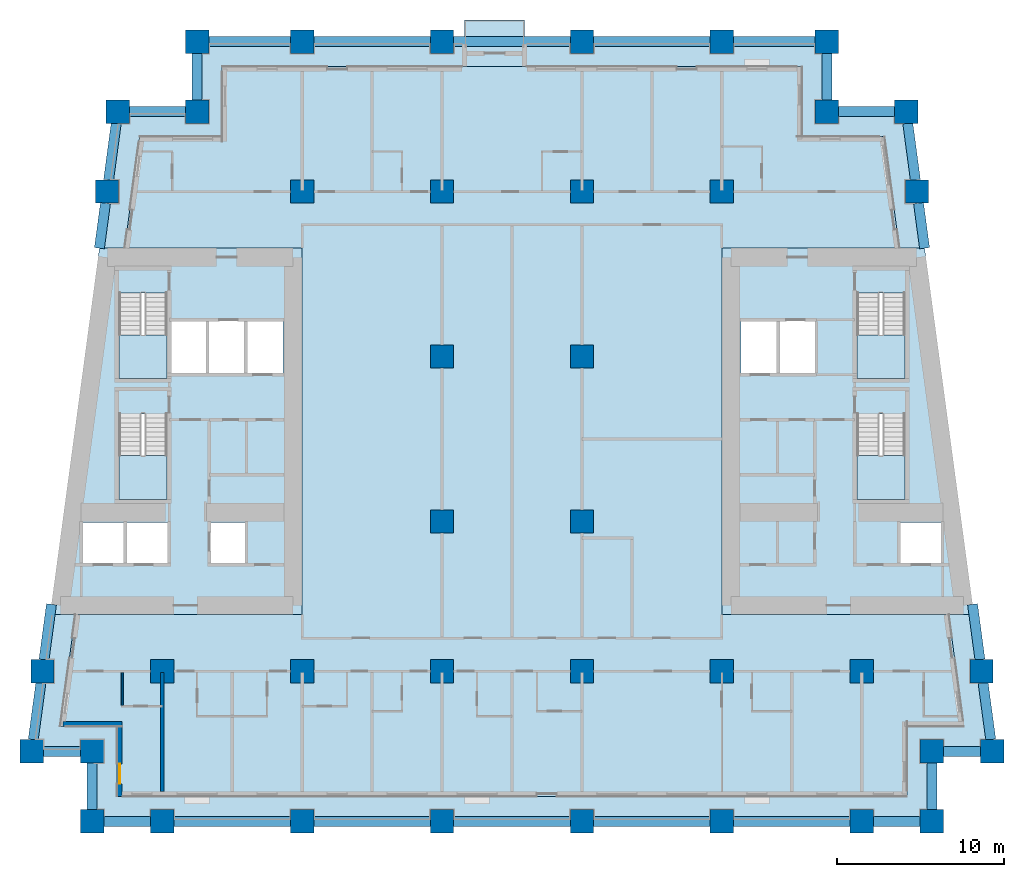
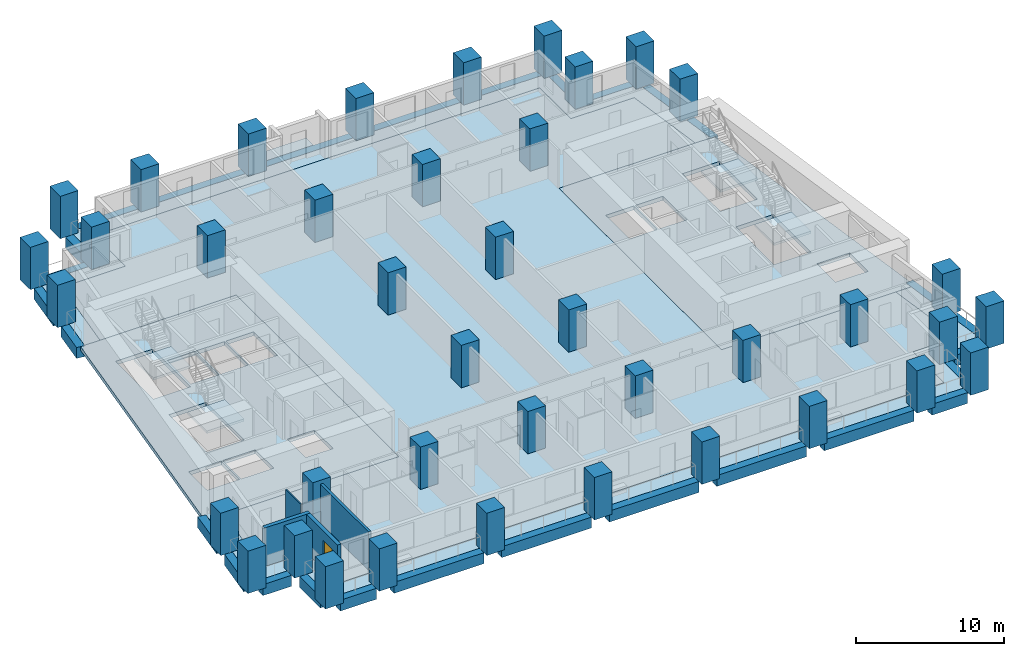
# One storey, part 1 of 13: 40 columns, 28 beams, 10 slabs, 4 walls, 1 door, 1 opening, 4 elements without a shape of their own.
"""IFC4 building model written with IfcOpenShell, lengths in metres."""

from ifc_helpers import new_model, si_unit, direction, frame, frame_2d, origin, origin_2d, place, context, subcontext, project, spatial, polyline, rectangle, outline, extrude, material, layer, layer_set, material_profile, profile_set, type_object, element, fill, aggregate, save


model = new_model("IFC4")

# Units and contexts
model_context = context("Model", 3, precision=1e-05, world=origin(), true_north=direction((0.0, 1.0)))
body_context = subcontext(model_context, "Body", "Model", "MODEL_VIEW")
ifc_project = project(units=[si_unit("LENGTHUNIT", "METRE"), si_unit("AREAUNIT", "SQUARE_METRE"), si_unit("VOLUMEUNIT", "CUBIC_METRE"), si_unit("PLANEANGLEUNIT", "RADIAN"), si_unit("MASSUNIT", "GRAM", prefix="KILO")], contexts=[model_context])

# Site, building, storey
site_placement = place(None, origin())
site = spatial("IfcSite", under=ifc_project, at=site_placement, CompositionType="ELEMENT")
building_placement = place(site_placement, origin())
building = spatial("IfcBuilding", under=site, at=building_placement, Name="Candeia Pilgrim Tower and Theatre", CompositionType="ELEMENT")
storey_placement = place(building_placement, frame((0.0, 0.0, 67.0)))
storey = spatial("IfcBuildingStorey", under=building, at=storey_placement, Name="L14", CompositionType="ELEMENT", Elevation=67.0)

# Columns
ifc_material_1 = material(Name="Concrete C80/95", Category="concrete")
ifc_material_profile_1 = material_profile(ifc_material_1, rectangle(XDim=1.39990234375, YDim=1.39990234375, at=origin_2d()))
ifc_profile_set_1 = profile_set([ifc_material_profile_1], Name="Concrete C80/95")
column_type = type_object("IfcColumnType", Name="RC 1400x1400 C80/95", PredefinedType="COLUMN", material=ifc_profile_set_1)
for number, where, z_axis, x_axis, name in (
    (1, (92.39990234375, 98.0, 0.0), (0.0, 0.0, 1.0), (1.0, 0.0, 0.0), "Column A1"),
    (2, (100.800048828125, 98.0, 0.0), (0.0, 0.0, 1.0), (1.0, 0.0, 0.0), "Column A2"),
    (3, (109.199951171875, 98.0, 0.0), (0.0, 0.0, 1.0), (1.0, 0.0, 0.0), "Column A3"),
    (4, (117.60009765625, 98.0, 0.0), (0.0, 0.0, 1.0), (1.0, 0.0, 0.0), "Column A4"),
    (5, (126.0, 98.0, 0.0), (0.0, 0.0, 1.0), (1.0, 0.0, 0.0), "Column A5"),
    (6, (134.39990234375, 98.0, 0.0), (0.0, 0.0, 1.0), (1.0, 0.0, 0.0), "Column A6"),
    (7, (88.199951171875, 98.0, 0.0), (0.0, 0.0, 1.0), (1.0, 0.0, 0.0), "Column AW"),
    (8, (138.60009765625, 98.0, 0.0), (0.0, 0.0, 1.0), (1.0, 0.0, 0.0), "Column AE"),
    (9, (88.199951171875, 102.199951171875, 0.0), (0.0, 0.0, 1.0), (1.0, 0.0, 0.0), "Column NSW"),
    (10, (138.60009765625, 102.199951171875, 0.0), (0.0, 0.0, 1.0), (1.0, 0.0, 0.0), "Column NSE"),
    (11, (94.5, 140.60009765625, 0.0), (0.0, 0.0, 1.0), (1.0, 0.0, 0.0), "Column NNW"),
    (12, (132.300048828125, 140.60009765625, 0.0), (0.0, 0.0, 1.0), (1.0, 0.0, 0.0), "Column NNE"),
    (13, (84.5654296875, 102.199951171875, 0.0), (0.0, 0.0, 1.0), (1.0, 0.0, 0.0), "Column LSW"),
    (14, (142.234619140625, 102.199951171875, 0.0), (0.0, 0.0, 1.0), (1.0, 0.0, 0.0), "Column LSE"),
    (15, (89.734619140625, 140.60009765625, 0.0), (0.0, 0.0, 1.0), (1.0, 0.0, 0.0), "Column LNW"),
    (16, (137.0654296875, 140.60009765625, 0.0), (0.0, 0.0, 1.0), (1.0, 0.0, 0.0), "Column LNE"),
    (17, (92.39990234375, 107.0, 0.0), (0.0, 0.0, 1.0), (1.0, 0.0, 0.0), "Column B1"),
    (18, (100.800048828125, 107.0, 0.0), (0.0, 0.0, 1.0), (1.0, 0.0, 0.0), "Column B2"),
    (19, (109.199951171875, 107.0, 0.0), (0.0, 0.0, 1.0), (1.0, 0.0, 0.0), "Column B3"),
    (20, (117.60009765625, 107.0, 0.0), (0.0, 0.0, 1.0), (1.0, 0.0, 0.0), "Column B4"),
    (21, (126.0, 107.0, 0.0), (0.0, 0.0, 1.0), (1.0, 0.0, 0.0), "Column B5"),
    (22, (134.39990234375, 107.0, 0.0), (0.0, 0.0, 1.0), (1.0, 0.0, 0.0), "Column B6"),
    (23, (85.21142578125, 107.0, 0.0), (0.0, 0.0, 1.0), (1.0, 0.0, 0.0), "Column BW"),
    (24, (141.58837890625, 107.0, 0.0), (0.0, 0.0, 1.0), (1.0, 0.0, 0.0), "Column BE"),
    (25, (109.199951171875, 116.0, 0.0), (0.0, 0.0, 1.0), (1.0, 0.0, 0.0), "Column C3"),
    (26, (117.60009765625, 116.0, 0.0), (0.0, 0.0, 1.0), (1.0, 0.0, 0.0), "Column C4"),
    (27, (109.199951171875, 125.89990234375, 0.0), (0.0, 0.0, 1.0), (1.0, 0.0, 0.0), "Column D3"),
    (28, (117.60009765625, 125.89990234375, 0.0), (0.0, 0.0, 1.0), (1.0, 0.0, 0.0), "Column D4"),
    (29, (100.800048828125, 135.800048828125, 0.0), (0.0, 0.0, 1.0), (1.0, 0.0, 0.0), "Column E2"),
    (30, (109.199951171875, 135.800048828125, 0.0), (0.0, 0.0, 1.0), (1.0, 0.0, 0.0), "Column E3"),
    (31, (117.60009765625, 135.800048828125, 0.0), (0.0, 0.0, 1.0), (1.0, 0.0, 0.0), "Column E4"),
    (32, (126.0, 135.800048828125, 0.0), (0.0, 0.0, 1.0), (1.0, 0.0, 0.0), "Column E5"),
    (33, (89.08837890625, 135.800048828125, 0.0), (0.0, 0.0, 1.0), (1.0, 0.0, 0.0), "Column EW"),
    (34, (137.71142578125, 135.800048828125, 0.0), (0.0, 0.0, 1.0), (1.0, 0.0, 0.0), "Column EE"),
    (35, (100.800048828125, 144.800048828125, 0.0), (0.0, 0.0, 1.0), (1.0, 0.0, 0.0), "Column F2"),
    (36, (109.199951171875, 144.800048828125, 0.0), (0.0, 0.0, 1.0), (1.0, 0.0, 0.0), "Column F3"),
    (37, (117.60009765625, 144.800048828125, 0.0), (0.0, 0.0, 1.0), (1.0, 0.0, 0.0), "Column F4"),
    (38, (126.0, 144.800048828125, 0.0), (0.0, 0.0, 1.0), (1.0, 0.0, 0.0), "Column F5"),
    (39, (94.5, 144.800048828125, 0.0), (0.0, 0.0, 1.0), (1.0, 0.0, 0.0), "Column FW"),
    (40, (132.300048828125, 144.800048828125, 0.0), (0.0, 0.0, 1.0), (1.0, 0.0, 0.0), "Column FE"),
):
    element("IfcColumn", number, at=place(storey_placement, frame(where, z_axis=z_axis, x_axis=x_axis)), inside=storey, type_object=column_type, Name=name, PredefinedType="COLUMN", context=body_context, shape_type="SweptSolid", body=[
        extrude(rectangle(XDim=1.39990234375, YDim=1.39990234375, at=origin_2d()), origin(), (0.0, 0.0, 1.0), 3.5),
    ])

# Beams
ifc_material_profile_2 = material_profile(ifc_material_1, rectangle(XDim=0.60009765625, YDim=0.89990234375, at=origin_2d()))
ifc_profile_set_2 = profile_set([ifc_material_profile_2], Name="Concrete C80/95")
beam_type = type_object("IfcBeamType", Name="RC 600x900 C80/95", PredefinedType="BEAM", material=ifc_profile_set_2)
beam_1_placement = place(storey_placement, frame((88.89990234375, 98.0, -0.449951171875), z_axis=(1.0, 0.0, 0.0), x_axis=(0.0, 1.0, 0.0)))
element("IfcBeam", 41, at=beam_1_placement, inside=storey, type_object=beam_type, Name="Spandrel beam L14-01", PredefinedType="BEAM", context=body_context, shape_type="SweptSolid", body=[
    extrude(rectangle(XDim=0.60009765625, YDim=0.89990234375, at=origin_2d()), origin(), (0.0, 0.0, 1.0), 2.800048828125),
])
for number, where, z_axis, x_axis, name in (
    (42, (93.10009765625, 98.0, -0.449951171875), (1.0, 0.0, 0.0), (0.0, 1.0, 0.0), "Spandrel beam L14-02"),
    (43, (101.5, 98.0, -0.449951171875), (1.0, 0.0, 0.0), (0.0, 1.0, 0.0), "Spandrel beam L14-03"),
    (44, (109.89990234375, 98.0, -0.449951171875), (1.0, 0.0, 0.0), (0.0, 1.0, 0.0), "Spandrel beam L14-04"),
    (45, (118.300048828125, 98.0, -0.449951171875), (1.0, 0.0, 0.0), (0.0, 1.0, 0.0), "Spandrel beam L14-05"),
    (46, (126.699951171875, 98.0, -0.449951171875), (1.0, 0.0, 0.0), (0.0, 1.0, 0.0), "Spandrel beam L14-06"),
):
    element("IfcBeam", number, at=place(storey_placement, frame(where, z_axis=z_axis, x_axis=x_axis)), inside=storey, type_object=beam_type, Name=name, PredefinedType="BEAM", context=body_context, shape_type="SweptSolid", body=[
        extrude(rectangle(XDim=0.60009765625, YDim=0.89990234375, at=origin_2d()), origin(), (0.0, 0.0, 1.0), 7.0),
    ])
beam_2_placement = place(storey_placement, frame((135.10009765625, 98.0, -0.449951171875), z_axis=(1.0, 0.0, 0.0), x_axis=(0.0, 1.0, 0.0)))
element("IfcBeam", 47, at=beam_2_placement, inside=storey, type_object=beam_type, Name="Spandrel beam L14-07", PredefinedType="BEAM", context=body_context, shape_type="SweptSolid", body=[
    extrude(rectangle(XDim=0.60009765625, YDim=0.89990234375, at=origin_2d()), origin(), (0.0, 0.0, 1.0), 2.7998046875),
])
beam_3_placement = place(storey_placement, frame((138.60009765625, 98.699951171875, -0.449951171875), z_axis=(0.0, 1.0, 0.0), x_axis=(-1.0, 0.0, 0.0)))
element("IfcBeam", 48, at=beam_3_placement, inside=storey, type_object=beam_type, Name="Spandrel beam L14-08", PredefinedType="BEAM", context=body_context, shape_type="SweptSolid", body=[
    extrude(rectangle(XDim=0.60009765625, YDim=0.89990234375, at=origin_2d()), origin(), (0.0, 0.0, 1.0), 2.800048828125),
])
beam_4_placement = place(storey_placement, frame((139.300048828125, 102.199951171875, -0.449951171875), z_axis=(1.0, 0.0, 0.0), x_axis=(0.0, 1.0, 0.0)))
element("IfcBeam", 49, at=beam_4_placement, inside=storey, type_object=beam_type, Name="Spandrel beam L14-09", PredefinedType="BEAM", context=body_context, shape_type="SweptSolid", body=[
    extrude(rectangle(XDim=0.60009765625, YDim=0.89990234375, at=origin_2d()), origin(), (0.0, 0.0, 1.0), 2.234619140625),
])
beam_5_placement = place(storey_placement, frame((142.140380859375, 102.89990234375, -0.449951171875), z_axis=(-0.133426797477, 0.991058671177, 0.0), x_axis=(-0.991058671177, -0.133426797477, 0.0)))
element("IfcBeam", 50, at=beam_5_placement, inside=storey, type_object=beam_type, Name="Spandrel beam L14-10", PredefinedType="BEAM", context=body_context, shape_type="SweptSolid", body=[
    extrude(rectangle(XDim=0.60009765625, YDim=0.89990234375, at=origin_2d()), origin(), (0.0, 0.0, 1.0), 3.430908203125),
])
beam_6_placement = place(storey_placement, frame((141.494140625, 107.699951171875, -0.449951171875), z_axis=(-0.13337488337, 0.991065659019, 0.0), x_axis=(-0.991065659019, -0.13337488337, 0.0)))
element("IfcBeam", 51, at=beam_6_placement, inside=storey, type_object=beam_type, Name="Spandrel beam L14-11", PredefinedType="BEAM", context=body_context, shape_type="SweptSolid", body=[
    extrude(rectangle(XDim=0.60009765625, YDim=0.89990234375, at=origin_2d()), origin(), (0.0, 0.0, 1.0), 3.353515625),
])
beam_7_placement = place(storey_placement, frame((138.169189453125, 132.39990234375, -0.449951171875), z_axis=(-0.133425552527, 0.991058838784, 0.0), x_axis=(-0.991058838784, -0.133425552527, 0.0)))
element("IfcBeam", 52, at=beam_7_placement, inside=storey, type_object=beam_type, Name="Spandrel beam L14-12", PredefinedType="BEAM", context=body_context, shape_type="SweptSolid", body=[
    extrude(rectangle(XDim=0.60009765625, YDim=0.89990234375, at=origin_2d()), origin(), (0.0, 0.0, 1.0), 2.724609375),
])
beam_8_placement = place(storey_placement, frame((137.6171875, 136.5, -0.449951171875), z_axis=(-0.13336630817, 0.991066813008, 0.0), x_axis=(-0.991066813008, -0.13336630817, 0.0)))
element("IfcBeam", 53, at=beam_8_placement, inside=storey, type_object=beam_type, Name="Spandrel beam L14-13", PredefinedType="BEAM", context=body_context, shape_type="SweptSolid", body=[
    extrude(rectangle(XDim=0.60009765625, YDim=0.89990234375, at=origin_2d()), origin(), (0.0, 0.0, 1.0), 3.4306640625),
])
beam_9_placement = place(storey_placement, frame((136.365478515625, 140.60009765625, -0.449951171875), z_axis=(-1.0, 0.0, 0.0), x_axis=(0.0, -1.0, 0.0)))
element("IfcBeam", 54, at=beam_9_placement, inside=storey, type_object=beam_type, Name="Spandrel beam L14-14", PredefinedType="BEAM", context=body_context, shape_type="SweptSolid", body=[
    extrude(rectangle(XDim=0.60009765625, YDim=0.89990234375, at=origin_2d()), origin(), (0.0, 0.0, 1.0), 3.365478515625),
])
beam_10_placement = place(storey_placement, frame((132.300048828125, 141.300048828125, -0.449951171875), z_axis=(0.0, 1.0, 0.0), x_axis=(-1.0, 0.0, 0.0)))
element("IfcBeam", 55, at=beam_10_placement, inside=storey, type_object=beam_type, Name="Spandrel beam L14-15", PredefinedType="BEAM", context=body_context, shape_type="SweptSolid", body=[
    extrude(rectangle(XDim=0.60009765625, YDim=0.89990234375, at=origin_2d()), origin(), (0.0, 0.0, 1.0), 2.800048828125),
])
beam_11_placement = place(storey_placement, frame((131.60009765625, 144.800048828125, -0.449951171875), z_axis=(-1.0, 0.0, 0.0), x_axis=(0.0, -1.0, 0.0)))
element("IfcBeam", 56, at=beam_11_placement, inside=storey, type_object=beam_type, Name="Spandrel beam L14-16", PredefinedType="BEAM", context=body_context, shape_type="SweptSolid", body=[
    extrude(rectangle(XDim=0.60009765625, YDim=0.89990234375, at=origin_2d()), origin(), (0.0, 0.0, 1.0), 4.900146484375),
])
for number, where, z_axis, x_axis, name in (
    (57, (125.300048828125, 144.800048828125, -0.449951171875), (-1.0, 0.0, 0.0), (0.0, -1.0, 0.0), "Spandrel beam L14-17"),
    (58, (116.89990234375, 144.800048828125, -0.449951171875), (-1.0, 0.0, 0.0), (0.0, -1.0, 0.0), "Spandrel beam L14-18"),
    (59, (108.5, 144.800048828125, -0.449951171875), (-1.0, 0.0, 0.0), (0.0, -1.0, 0.0), "Spandrel beam L14-19"),
):
    element("IfcBeam", number, at=place(storey_placement, frame(where, z_axis=z_axis, x_axis=x_axis)), inside=storey, type_object=beam_type, Name=name, PredefinedType="BEAM", context=body_context, shape_type="SweptSolid", body=[
        extrude(rectangle(XDim=0.60009765625, YDim=0.89990234375, at=origin_2d()), origin(), (0.0, 0.0, 1.0), 7.0),
    ])
beam_12_placement = place(storey_placement, frame((100.10009765625, 144.800048828125, -0.449951171875), z_axis=(-1.0, 0.0, 0.0), x_axis=(0.0, -1.0, 0.0)))
element("IfcBeam", 60, at=beam_12_placement, inside=storey, type_object=beam_type, Name="Spandrel beam L14-20", PredefinedType="BEAM", context=body_context, shape_type="SweptSolid", body=[
    extrude(rectangle(XDim=0.60009765625, YDim=0.89990234375, at=origin_2d()), origin(), (0.0, 0.0, 1.0), 4.900146484375),
])
beam_13_placement = place(storey_placement, frame((94.5, 144.10009765625, -0.449951171875), z_axis=(0.0, -1.0, 0.0), x_axis=(1.0, 0.0, 0.0)))
element("IfcBeam", 61, at=beam_13_placement, inside=storey, type_object=beam_type, Name="Spandrel beam L14-21", PredefinedType="BEAM", context=body_context, shape_type="SweptSolid", body=[
    extrude(rectangle(XDim=0.60009765625, YDim=0.89990234375, at=origin_2d()), origin(), (0.0, 0.0, 1.0), 2.800048828125),
])
beam_14_placement = place(storey_placement, frame((93.800048828125, 140.60009765625, -0.449951171875), z_axis=(-1.0, 0.0, 0.0), x_axis=(0.0, -1.0, 0.0)))
element("IfcBeam", 62, at=beam_14_placement, inside=storey, type_object=beam_type, Name="Spandrel beam L14-22", PredefinedType="BEAM", context=body_context, shape_type="SweptSolid", body=[
    extrude(rectangle(XDim=0.60009765625, YDim=0.89990234375, at=origin_2d()), origin(), (0.0, 0.0, 1.0), 3.365478515625),
])
beam_15_placement = place(storey_placement, frame((89.640380859375, 139.89990234375, -0.449951171875), z_axis=(-0.133436208017, -0.991057404185, 0.0), x_axis=(0.991057404185, -0.133436208017, 0.0)))
element("IfcBeam", 63, at=beam_15_placement, inside=storey, type_object=beam_type, Name="Spandrel beam L14-23", PredefinedType="BEAM", context=body_context, shape_type="SweptSolid", body=[
    extrude(rectangle(XDim=0.60009765625, YDim=0.89990234375, at=origin_2d()), origin(), (0.0, 0.0, 1.0), 3.4306640625),
])
beam_16_placement = place(storey_placement, frame((88.994140625, 135.10009765625, -0.449951171875), z_axis=(-0.133337538686, -0.991070684047, 0.0), x_axis=(0.991070684047, -0.133337538686, 0.0)))
element("IfcBeam", 64, at=beam_16_placement, inside=storey, type_object=beam_type, Name="Spandrel beam L14-24", PredefinedType="BEAM", context=body_context, shape_type="SweptSolid", body=[
    extrude(rectangle(XDim=0.60009765625, YDim=0.89990234375, at=origin_2d()), origin(), (0.0, 0.0, 1.0), 2.724609375),
])
beam_17_placement = place(storey_placement, frame((85.753173828125, 111.0234375, -0.449951171875), z_axis=(-0.133446390132, -0.991056033209, 0.0), x_axis=(0.991056033209, -0.133446390132, 0.0)))
element("IfcBeam", 65, at=beam_17_placement, inside=storey, type_object=beam_type, Name="Spandrel beam L14-25", PredefinedType="BEAM", context=body_context, shape_type="SweptSolid", body=[
    extrude(rectangle(XDim=0.60009765625, YDim=0.89990234375, at=origin_2d()), origin(), (0.0, 0.0, 1.0), 3.353515625),
])
beam_18_placement = place(storey_placement, frame((85.1171875, 106.300048828125, -0.449951171875), z_axis=(-0.133356902381, -0.991068078685, 0.0), x_axis=(0.991068078685, -0.133356902381, 0.0)))
element("IfcBeam", 66, at=beam_18_placement, inside=storey, type_object=beam_type, Name="Spandrel beam L14-26", PredefinedType="BEAM", context=body_context, shape_type="SweptSolid", body=[
    extrude(rectangle(XDim=0.60009765625, YDim=0.89990234375, at=origin_2d()), origin(), (0.0, 0.0, 1.0), 3.430908203125),
])
beam_19_placement = place(storey_placement, frame((85.265380859375, 102.199951171875, -0.449951171875), z_axis=(1.0, 0.0, 0.0), x_axis=(0.0, 1.0, 0.0)))
element("IfcBeam", 67, at=beam_19_placement, inside=storey, type_object=beam_type, Name="Spandrel beam L14-27", PredefinedType="BEAM", context=body_context, shape_type="SweptSolid", body=[
    extrude(rectangle(XDim=0.60009765625, YDim=0.89990234375, at=origin_2d()), origin(), (0.0, 0.0, 1.0), 2.234619140625),
])
beam_20_placement = place(storey_placement, frame((88.199951171875, 101.5, -0.449951171875), z_axis=(0.0, -1.0, 0.0), x_axis=(1.0, 0.0, 0.0)))
element("IfcBeam", 68, at=beam_20_placement, inside=storey, type_object=beam_type, Name="Spandrel beam L14-28", PredefinedType="BEAM", context=body_context, shape_type="SweptSolid", body=[
    extrude(rectangle(XDim=0.60009765625, YDim=0.89990234375, at=origin_2d()), origin(), (0.0, 0.0, 1.0), 2.800048828125),
])

# Slabs
ifc_material_2 = material(Name="Concrete C40/50", Category="concrete")
ifc_layer_1 = layer(ifc_material_2, 0.25)
ifc_layer_set_1 = layer_set([ifc_layer_1], Name="BK1 balcony slab 250")
slab_type_1 = type_object("IfcSlabType", Name="BK1 balcony slab 250", PredefinedType="USERDEFINED", material=ifc_layer_set_1)
slab_1_placement = place(storey_placement, frame((0.0, 0.0, -0.25)))
element("IfcSlab", 69, at=slab_1_placement, inside=storey, type_object=slab_type_1, Name="Balcony L14", ObjectType="BALCONY", PredefinedType="USERDEFINED", context=body_context, shape_type="SweptSolid", body=[
    extrude(outline(polyline([(110.550048828125, 144.5), (114.14990234375, 144.5), (114.14990234375, 146.10009765625), (110.550048828125, 146.10009765625), (110.550048828125, 144.5)])), origin(), (0.0, 0.0, 1.0), 0.25),
])
ifc_material_3 = material(Name="Concrete C60/75", Category="concrete")
ifc_layer_2 = layer(ifc_material_3, 0.320068359375)
ifc_layer_set_2 = layer_set([ifc_layer_2], Name="FS-CORE 320 core floor")
slab_type_2 = type_object("IfcSlabType", Name="FS-CORE 320 core floor", PredefinedType="FLOOR", material=ifc_layer_set_2)
slab_2_placement = place(storey_placement, frame((0.0, 0.0, -0.320068359375)))
element("IfcSlab", 70, at=slab_2_placement, inside=storey, type_object=slab_type_2, Name="Core floor W L14", PredefinedType="FLOOR", context=body_context, shape_type="SweptSolid", body=[
    extrude(outline(polyline([(100.800048828125, 132.39990234375), (100.800048828125, 110.39990234375), (85.669189453125, 110.39990234375), (88.630859375, 132.39990234375), (100.800048828125, 132.39990234375)]), holes=[polyline([(97.458984375, 128.050048828125), (97.458984375, 124.85009765625), (99.64990234375, 124.85009765625), (99.64990234375, 128.050048828125), (97.458984375, 128.050048828125)]), polyline([(95.277099609375, 115.949951171875), (95.277099609375, 113.449951171875), (97.41357421875, 113.449951171875), (97.41357421875, 115.949951171875), (95.277099609375, 115.949951171875)]), polyline([(95.16796875, 128.050048828125), (95.16796875, 124.85009765625), (97.35888671875, 124.85009765625), (97.35888671875, 128.050048828125), (95.16796875, 128.050048828125)]), polyline([(92.876953125, 128.050048828125), (92.876953125, 124.85009765625), (95.068115234375, 124.85009765625), (95.068115234375, 128.050048828125), (92.876953125, 128.050048828125)]), polyline([(90.228515625, 115.949951171875), (90.228515625, 113.449951171875), (92.777099609375, 113.449951171875), (92.777099609375, 115.949951171875), (90.228515625, 115.949951171875)]), polyline([(89.802001953125, 122.455078125), (89.802001953125, 117.324951171875), (92.701904296875, 117.324951171875), (92.701904296875, 122.455078125), (89.802001953125, 122.455078125)]), polyline([(89.802001953125, 129.705078125), (89.802001953125, 124.574951171875), (92.701904296875, 124.574951171875), (92.701904296875, 129.705078125), (89.802001953125, 129.705078125)]), polyline([(87.580078125, 115.949951171875), (87.580078125, 113.449951171875), (90.12841796875, 113.449951171875), (90.12841796875, 115.949951171875), (87.580078125, 115.949951171875)])]), origin(), (0.0, 0.0, 1.0), 0.320068359375),
])
slab_3_placement = place(storey_placement, frame((0.0, 0.0, -0.320068359375)))
element("IfcSlab", 71, at=slab_3_placement, inside=storey, type_object=slab_type_2, Name="Core floor E L14", PredefinedType="FLOOR", context=body_context, shape_type="SweptSolid", body=[
    extrude(outline(polyline([(138.169189453125, 132.39990234375), (141.130859375, 110.39990234375), (126.0, 110.39990234375), (126.0, 132.39990234375), (138.169189453125, 132.39990234375)]), holes=[polyline([(136.67138671875, 115.949951171875), (136.67138671875, 113.449951171875), (139.219970703125, 113.449951171875), (139.219970703125, 115.949951171875), (136.67138671875, 115.949951171875)]), polyline([(134.097900390625, 117.324951171875), (136.998046875, 117.324951171875), (136.998046875, 122.455078125), (134.097900390625, 122.455078125), (134.097900390625, 117.324951171875)]), polyline([(134.097900390625, 129.705078125), (134.097900390625, 124.574951171875), (136.998046875, 124.574951171875), (136.998046875, 129.705078125), (134.097900390625, 129.705078125)]), polyline([(131.632080078125, 128.050048828125), (129.44091796875, 128.050048828125), (129.44091796875, 124.85009765625), (131.632080078125, 124.85009765625), (131.632080078125, 128.050048828125)]), polyline([(127.14990234375, 128.050048828125), (127.14990234375, 124.85009765625), (129.341064453125, 124.85009765625), (129.341064453125, 128.050048828125), (127.14990234375, 128.050048828125)])]), origin(), (0.0, 0.0, 1.0), 0.320068359375),
])
ifc_material_4 = material(Name="Concrete C50/60", Category="concrete")
ifc_layer_3 = layer(ifc_material_4, 0.320068359375)
ifc_layer_set_3 = layer_set([ifc_layer_3], Name="Floor slab 320 C50/60")
slab_type_3 = type_object("IfcSlabType", Name="Floor slab 320 C50/60", PredefinedType="FLOOR", material=ifc_layer_set_3)
slab_4_placement = place(storey_placement, frame((0.0, 0.0, -0.320068359375)))
element("IfcSlab", 72, at=slab_4_placement, inside=storey, type_object=slab_type_3, Name="Floor slab L14", PredefinedType="FLOOR", context=body_context, shape_type="SweptSolid", body=[
    extrude(outline(polyline([(96.0, 139.10009765625), (96.0, 143.300048828125), (130.800048828125, 143.300048828125), (130.800048828125, 139.10009765625), (135.753662109375, 139.10009765625), (136.65576171875, 132.39990234375), (126.0, 132.39990234375), (126.0, 110.39990234375), (139.6171875, 110.39990234375), (140.51904296875, 103.699951171875), (137.10009765625, 103.699951171875), (137.10009765625, 99.5), (89.699951171875, 99.5), (89.699951171875, 103.699951171875), (86.28076171875, 103.699951171875), (87.182861328125, 110.39990234375), (100.800048828125, 110.39990234375), (100.800048828125, 132.39990234375), (90.144287109375, 132.39990234375), (91.046142578125, 139.10009765625), (96.0, 139.10009765625)])), origin(), (0.0, 0.0, 1.0), 0.320068359375),
])
ifc_layer_4 = layer(ifc_material_2, 0.25)
ifc_layer_set_4 = layer_set([ifc_layer_4], Name="Loggia slab 250 C40/50")
slab_type_4 = type_object("IfcSlabType", Name="Loggia slab 250 C40/50", PredefinedType="FLOOR", material=ifc_layer_set_4)
slab_5_placement = place(storey_placement, frame((0.0, 0.0, -0.25)))
element("IfcSlab", 73, at=slab_5_placement, inside=storey, type_object=slab_type_4, Name="Loggia slab L14 1", PredefinedType="FLOOR", context=body_context, shape_type="SweptSolid", body=[
    extrude(outline(polyline([(87.182861328125, 110.39990234375), (86.28076171875, 103.699951171875), (89.699951171875, 103.699951171875), (89.699951171875, 99.5), (137.10009765625, 99.5), (137.10009765625, 103.699951171875), (140.51904296875, 103.699951171875), (139.6171875, 110.39990234375), (140.828125, 110.39990234375), (141.8916015625, 102.5), (138.300048828125, 102.5), (138.300048828125, 98.300048828125), (88.5, 98.300048828125), (88.5, 102.5), (84.908447265625, 102.5), (85.971923828125, 110.39990234375), (87.182861328125, 110.39990234375)])), origin(), (0.0, 0.0, 1.0), 0.25),
])
slab_6_placement = place(storey_placement, frame((0.0, 0.0, -0.25)))
element("IfcSlab", 74, at=slab_6_placement, inside=storey, type_object=slab_type_4, Name="Loggia slab L14 2", PredefinedType="FLOOR", context=body_context, shape_type="SweptSolid", body=[
    extrude(outline(polyline([(136.65576171875, 132.39990234375), (135.753662109375, 139.10009765625), (130.800048828125, 139.10009765625), (130.800048828125, 143.300048828125), (96.0, 143.300048828125), (96.0, 139.10009765625), (91.046142578125, 139.10009765625), (90.144287109375, 132.39990234375), (88.93359375, 132.39990234375), (89.996826171875, 140.300048828125), (94.800048828125, 140.300048828125), (94.800048828125, 144.5), (132.0, 144.5), (132.0, 140.300048828125), (136.802978515625, 140.300048828125), (137.866455078125, 132.39990234375), (136.65576171875, 132.39990234375)])), origin(), (0.0, 0.0, 1.0), 0.25),
])

# Stair, slab
stair_type = type_object("IfcStairType", Name="ST-TWR dog-leg escape stair", PredefinedType="HALF_TURN_STAIR", material=ifc_material_2)
stair_1_placement = place(storey_placement, origin())
stair_1 = element("IfcStair", 75, at=stair_1_placement, inside=storey, type_object=stair_type, Name="L14 Escape stair ST1", PredefinedType="HALF_TURN_STAIR")
ifc_layer_5 = layer(ifc_material_2, 0.199951171875)
ifc_layer_set_5 = layer_set([ifc_layer_5], Name="SL-LANDING stair landing")
slab_type_5 = type_object("IfcSlabType", Name="SL-LANDING stair landing", PredefinedType="LANDING", material=ifc_layer_set_5)
slab_7_placement = place(storey_placement, frame((0.0, 0.0, 1.550048828125)))
slab_7 = element("IfcSlab", 76, at=slab_7_placement, type_object=slab_type_5, Name="ST1 landing 1", PredefinedType="LANDING", context=body_context, shape_type="SweptSolid", body=[
    extrude(outline(polyline([(89.802001953125, 119.955078125), (89.802001953125, 117.324951171875), (92.701904296875, 117.324951171875), (92.701904296875, 119.955078125), (89.802001953125, 119.955078125)])), origin(), (0.0, 0.0, 1.0), 0.199951171875),
])
aggregate(stair_1, [slab_7])

stair_2_placement = place(storey_placement, origin())
stair_2 = element("IfcStair", 77, at=stair_2_placement, inside=storey, type_object=stair_type, Name="L14 Escape stair ST2", PredefinedType="HALF_TURN_STAIR")
slab_8_placement = place(storey_placement, frame((0.0, 0.0, 1.550048828125)))
slab_8 = element("IfcSlab", 78, at=slab_8_placement, type_object=slab_type_5, Name="ST2 landing 1", PredefinedType="LANDING", context=body_context, shape_type="SweptSolid", body=[
    extrude(outline(polyline([(89.802001953125, 127.205078125), (89.802001953125, 124.574951171875), (92.701904296875, 124.574951171875), (92.701904296875, 127.205078125), (89.802001953125, 127.205078125)])), origin(), (0.0, 0.0, 1.0), 0.199951171875),
])
aggregate(stair_2, [slab_8])

stair_3_placement = place(storey_placement, origin())
stair_3 = element("IfcStair", 79, at=stair_3_placement, inside=storey, type_object=stair_type, Name="L14 Escape stair ST3", PredefinedType="HALF_TURN_STAIR")
slab_9_placement = place(storey_placement, frame((0.0, 0.0, 1.550048828125)))
slab_9 = element("IfcSlab", 80, at=slab_9_placement, type_object=slab_type_5, Name="ST3 landing 1", PredefinedType="LANDING", context=body_context, shape_type="SweptSolid", body=[
    extrude(outline(polyline([(134.097900390625, 119.955078125), (134.097900390625, 117.324951171875), (136.998046875, 117.324951171875), (136.998046875, 119.955078125), (134.097900390625, 119.955078125)])), origin(), (0.0, 0.0, 1.0), 0.199951171875),
])
aggregate(stair_3, [slab_9])

stair_4_placement = place(storey_placement, origin())
stair_4 = element("IfcStair", 81, at=stair_4_placement, inside=storey, type_object=stair_type, Name="L14 Escape stair ST4", PredefinedType="HALF_TURN_STAIR")
slab_10_placement = place(storey_placement, frame((0.0, 0.0, 1.550048828125)))
slab_10 = element("IfcSlab", 82, at=slab_10_placement, type_object=slab_type_5, Name="ST4 landing 1", PredefinedType="LANDING", context=body_context, shape_type="SweptSolid", body=[
    extrude(outline(polyline([(134.097900390625, 127.205078125), (134.097900390625, 124.574951171875), (136.998046875, 124.574951171875), (136.998046875, 127.205078125), (134.097900390625, 127.205078125)])), origin(), (0.0, 0.0, 1.0), 0.199951171875),
])
aggregate(stair_4, [slab_10])

# Wall
ifc_material_5 = material(Name="Ceramic block masonry", Category="masonry")
ifc_layer_6 = layer(ifc_material_5, 0.300048828125)
ifc_layer_set_6 = layer_set([ifc_layer_6], Name="EW1 glazing-line wall 300")
wall_type_1 = type_object("IfcWallType", Name="EW1 glazing-line wall 300", PredefinedType="SOLIDWALL", material=ifc_layer_set_6)
wall_1_placement = place(storey_placement, frame((86.452392578125, 103.85009765625, 0.0), z_axis=(0.0, 0.0, 1.0), x_axis=(1.0, 0.0, 0.0)))
element("IfcWall", 83, at=wall_1_placement, inside=storey, type_object=wall_type_1, Name="External wall L14-10.0", PredefinedType="SOLIDWALL", context=body_context, shape_type="SweptSolid", body=[
    extrude(rectangle(XDim=3.547607421875, YDim=0.300048828125, at=frame_2d((1.77392578125, 0.0))), origin(), (0.0, 0.0, 1.0), 3.179931640625),
])

# Wall, opening, door
wall_2_placement = place(storey_placement, frame((89.85009765625, 103.85009765625, 0.0), z_axis=(0.0, 0.0, 1.0), x_axis=(0.0, -1.0, 0.0)))
wall_2 = element("IfcWall", 84, at=wall_2_placement, inside=storey, type_object=wall_type_1, Name="External wall L14-11.0", PredefinedType="SOLIDWALL", context=body_context, shape_type="SweptSolid", body=[
    extrude(rectangle(XDim=4.35009765625, YDim=0.300048828125, at=frame_2d((2.175048828125, 0.0))), origin(), (0.0, 0.0, 1.0), 3.179931640625),
])
opening_placement = place(wall_2_placement, frame((2.39990234375, 0.0, 0.0)))
opening = element("IfcOpeningElement", 85, at=opening_placement, cuts=wall_2, Name="Opening L14-ED165", PredefinedType="OPENING", context=body_context, shape_type="SweptSolid", body=[
    extrude(rectangle(XDim=1.199951171875, YDim=2.39990234375, at=frame_2d((0.60009765625, 1.199951171875))), frame((0.0, 0.16015625, 0.0), z_axis=(0.0, -1.0, 0.0), x_axis=(1.0, 0.0, 0.0)), (0.0, 0.0, 1.0), 0.320068359375),
])
ifc_material_6 = material(Name="Aluminium framed glazed door", Category="aluminium")
door_type = type_object("IfcDoorType", Name="Loggia door 1200x2400", OperationType="DOUBLE_DOOR_SINGLE_SWING", PredefinedType="DOOR", material=ifc_material_6)
door_placement = place(opening_placement, origin())
door = element("IfcDoor", 86, at=door_placement, inside=storey, type_object=door_type, Name="Loggia door L14-ED165", OperationType="DOUBLE_DOOR_SINGLE_SWING", OverallHeight=2.39990234375, OverallWidth=1.199951171875, PredefinedType="DOOR", context=body_context, shape_type="SweptSolid", body=[
    extrude(rectangle(XDim=1.199951171875, YDim=2.39990234375, at=frame_2d((0.60009765625, 1.199951171875))), frame((0.0, 0.02490234375, 0.0), z_axis=(0.0, -1.0, 0.0), x_axis=(1.0, 0.0, 0.0)), (0.0, 0.0, 1.0), 0.050048828125),
])
fill(opening, door)

# Walls
ifc_material_7 = material(Name="Gypsum board partition on steel studs", Category="steel")
ifc_layer_7 = layer(ifc_material_7, 0.10009765625)
ifc_layer_set_7 = layer_set([ifc_layer_7], Name="PW-100 room partition")
wall_type_2 = type_object("IfcWallType", Name="PW-100 room partition", PredefinedType="PARTITIONING", material=ifc_layer_set_7)
wall_3_placement = place(storey_placement, frame((90.0, 104.949951171875, 0.0), z_axis=(0.0, 0.0, 1.0), x_axis=(0.0, 1.0, 0.0)))
element("IfcWall", 87, at=wall_3_placement, inside=storey, type_object=wall_type_2, Name="Room partition L14-047", PredefinedType="PARTITIONING", context=body_context, shape_type="SweptSolid", body=[
    extrude(rectangle(XDim=1.97509765625, YDim=0.10009765625, at=frame_2d((0.987548828125, 0.0))), origin(), (0.0, 0.0, 1.0), 3.179931640625),
])
ifc_layer_8 = layer(ifc_material_7, 0.199951171875)
ifc_layer_set_8 = layer_set([ifc_layer_8], Name="PW-200 party wall")
wall_type_3 = type_object("IfcWallType", Name="PW-200 party wall", PredefinedType="PARTITIONING", material=ifc_layer_set_8)
wall_4_placement = place(storey_placement, frame((92.39990234375, 99.7900390625, 0.0), z_axis=(0.0, 0.0, 1.0), x_axis=(0.0, 1.0, 0.0)))
element("IfcWall", 88, at=wall_4_placement, inside=storey, type_object=wall_type_3, Name="Party wall L14-049", PredefinedType="PARTITIONING", context=body_context, shape_type="SweptSolid", body=[
    extrude(rectangle(XDim=7.135009765625, YDim=0.199951171875, at=frame_2d((3.5673828125, 0.0))), origin(), (0.0, 0.0, 1.0), 3.179931640625),
])

save(model, "model.ifc")
